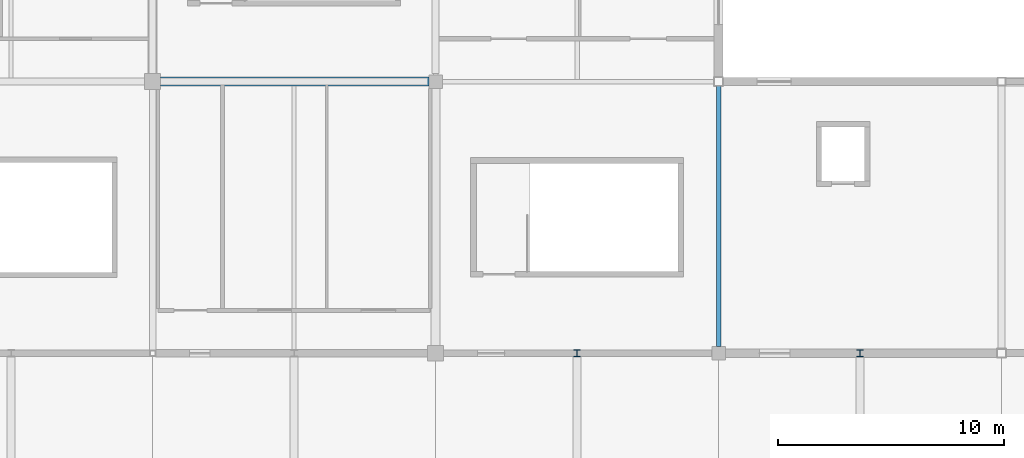
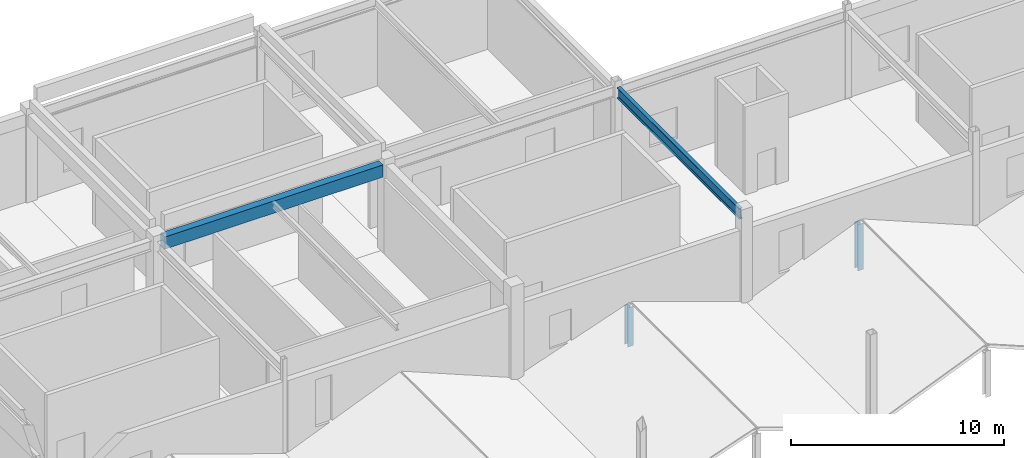
# One storey, part 43 of 76: 2 beams, 2 members.
"""IFC4 building model written with IfcOpenShell, lengths in metres."""

import ifcopenshell
import ifcopenshell.guid

model = None  # the IFC model being written
_history = None  # IfcOwnerHistory: only IFC2X3 demands one
_inside = {}  # id of a spatial element -> (the spatial element, [elements in it])
_under = {}  # id of a project, library or spatial element -> (it, [spatial elements below it])
_declared = {}  # id of a project -> (the project, [libraries it declares])
_typed = {}  # id of a type object -> (the type object, [elements of that type])
_made_of = {}  # id of a material, layer set ... -> (it, [elements and type objects made of it])


def new_model(schema):
    """Start an empty IFC model of exactly this schema.

    Asked for "IFC4X3", IfcOpenShell would pick the latest addendum, in which some entities
    have other attributes; the version numbers below select the first issue.
    IFC2X3 requires an IfcOwnerHistory on every rooted entity: one is made here for all.
    """
    global model, _history
    if schema == "IFC4X3":
        model = ifcopenshell.file(schema_version=(4, 3, 0, 0))
    else:
        model = ifcopenshell.file(schema=schema)
    _inside.clear()
    _under.clear()
    _declared.clear()
    _typed.clear()
    _made_of.clear()
    _history = None
    if model.schema == "IFC2X3":
        org = make("IfcOrganization", Name="unknown")
        user = make(
            "IfcPersonAndOrganization",
            ThePerson=make("IfcPerson", FamilyName="unknown"),
            TheOrganization=org,
        )
        app = make(
            "IfcApplication",
            ApplicationDeveloper=org,
            Version="unknown",
            ApplicationFullName="unknown",
            ApplicationIdentifier="unknown",
        )
        _history = make(
            "IfcOwnerHistory",
            OwningUser=user,
            OwningApplication=app,
            ChangeAction="ADDED",
            CreationDate=0,
        )
    return model


def make(cls, **values):
    """One entity of the class cls with the attributes given. An attribute that is None is left unset."""
    return model.create_entity(
        cls, **{name: value for name, value in values.items() if value is not None}
    )


def rooted(cls, **values):
    """An entity with a GlobalId (a new one), such as an element, a storey or a relation."""
    return make(cls, GlobalId=ifcopenshell.guid.new(), OwnerHistory=_history, **values)


def si_unit(unit_type, name, prefix=None):
    """IfcSIUnit, for example si_unit("LENGTHUNIT", "METRE", prefix="MILLI")."""
    return make("IfcSIUnit", UnitType=unit_type, Prefix=prefix, Name=name)


def assignment(units):
    """IfcUnitAssignment: the units of a project."""
    return None if units is None else make("IfcUnitAssignment", Units=units)


def point(xyz):
    """IfcCartesianPoint."""
    return None if xyz is None else make("IfcCartesianPoint", Coordinates=xyz)


def direction(xyz):
    """IfcDirection."""
    return None if xyz is None else make("IfcDirection", DirectionRatios=xyz)


def frame(location, z_axis=None, x_axis=None):
    """IfcAxis2Placement3D, a coordinate frame: its origin and axes. An axis left out is left unset."""
    return make(
        "IfcAxis2Placement3D",
        Location=point(location),
        Axis=direction(z_axis),
        RefDirection=direction(x_axis),
    )


def frame_2d(location, x_axis=None):
    """IfcAxis2Placement2D, a coordinate frame in the plane: its origin and x axis."""
    return make(
        "IfcAxis2Placement2D", Location=point(location), RefDirection=direction(x_axis)
    )


def origin():
    """The frame at (0, 0, 0) with its axes left unset."""
    return frame((0.0, 0.0, 0.0))


def origin_2d():
    """The frame at (0, 0) in the plane with its x axis left unset."""
    return frame_2d((0.0, 0.0))


def place(relative_to, where):
    """IfcLocalPlacement: puts the frame where relative to a parent placement (None: the world)."""
    return make(
        "IfcLocalPlacement", PlacementRelTo=relative_to, RelativePlacement=where
    )


def context(
    kind, dimensions, precision=None, world=None, true_north=None, identifier=None
):
    """IfcGeometricRepresentationContext, for example the 3D "Model" context."""
    return make(
        "IfcGeometricRepresentationContext",
        ContextIdentifier=identifier,
        ContextType=kind,
        CoordinateSpaceDimension=dimensions,
        Precision=precision,
        WorldCoordinateSystem=world,
        TrueNorth=true_north,
    )


def subcontext(parent, identifier, kind, view, scale=None):
    """IfcGeometricRepresentationSubContext, for example "Body" below "Model"."""
    return make(
        "IfcGeometricRepresentationSubContext",
        ContextIdentifier=identifier,
        ContextType=kind,
        ParentContext=parent,
        TargetScale=scale,
        TargetView=view,
    )


def project(units=None, contexts=None):
    """IfcProject with its units and contexts."""
    return rooted(
        "IfcProject",
        Name="project",
        RepresentationContexts=contexts,
        UnitsInContext=assignment(units),
    )


def spatial(cls, under=None, at=None, **own):
    """A site, building, storey or space (cls), placed at a placement, below another one or the project."""
    s = rooted(cls, ObjectPlacement=at, **own)
    if under is not None:
        _under.setdefault(under.id(), (under, []))[1].append(s)
    return s


def profile(cls, at=None, kind="AREA", **sizes):
    """A parametric profile (cls). Its sizes go by their IFC names, for example OverallWidth=200.0."""
    return make(cls, ProfileType=kind, Position=at, **sizes)


def rectangle(**sizes):
    """IfcRectangleProfileDef."""
    return profile("IfcRectangleProfileDef", **sizes)


def i_section(**sizes):
    """IfcIShapeProfileDef."""
    return profile("IfcIShapeProfileDef", **sizes)


def extrude(swept, where, along, depth):
    """IfcExtrudedAreaSolid: the profile swept, set in the frame where, extruded along a direction by depth."""
    return make(
        "IfcExtrudedAreaSolid",
        SweptArea=swept,
        Position=where,
        ExtrudedDirection=direction(along),
        Depth=depth,
    )


def shape(context_of_items, identifier, shape_type, items):
    """IfcShapeRepresentation: the items that make up one representation, for example the "Body"."""
    return make(
        "IfcShapeRepresentation",
        ContextOfItems=context_of_items,
        RepresentationIdentifier=identifier,
        RepresentationType=shape_type,
        Items=items,
    )


def material(Name=None, Category=None):
    """IfcMaterial."""
    return make("IfcMaterial", Name=Name, Category=Category)


def material_profile(
    of_material, cross_section, Name=None, Category=None, Priority=None
):
    """IfcMaterialProfile: a cross section and its material."""
    return make(
        "IfcMaterialProfile",
        Name=Name,
        Material=of_material,
        Profile=cross_section,
        Priority=Priority,
        Category=Category,
    )


def profile_set(profiles, Name=None, composite=None):
    """IfcMaterialProfileSet."""
    return make(
        "IfcMaterialProfileSet",
        Name=Name,
        MaterialProfiles=profiles,
        CompositeProfile=composite,
    )


def made_of(thing, what):
    """Note that an element or type object is made of a material, layer set ...; save() writes the relation."""
    if what is not None:
        _made_of.setdefault(what.id(), (what, []))[1].append(thing)
    return thing


def type_object(cls, material=None, **own):
    """A type object (cls), such as IfcWallType, which elements share."""
    return made_of(rooted(cls, **own), material)


def element(
    cls,
    number,
    at=None,
    inside=None,
    cuts=None,
    type_object=None,
    material=None,
    context=None,
    identifier="Body",
    shape_type=None,
    held_by="IfcProductDefinitionShape",
    body=None,
    shapes=None,
    **own,
):
    """One element of the class cls, such as IfcWall. Its Tag is "e" and its number.

    at: its placement. inside: the storey or other place that contains it. cuts: it is an
    opening in that element (IfcRelVoidsElement). A single representation is given by context,
    identifier, shape_type and body (its items); several are given by shapes. held_by: the class
    of the entity that holds the representations. save() writes the other relations.
    """
    e = rooted(cls, Tag="e%d" % number, ObjectPlacement=at, **own)
    if body is not None:
        shapes = [shape(context, identifier, shape_type, body)]
    if shapes is not None:
        e.Representation = make(held_by, Representations=shapes)
    if inside is not None:
        _inside.setdefault(inside.id(), (inside, []))[1].append(e)
    if cuts is not None:
        rooted(
            "IfcRelVoidsElement", RelatingBuildingElement=cuts, RelatedOpeningElement=e
        )
    if type_object is not None:
        _typed.setdefault(type_object.id(), (type_object, []))[1].append(e)
    return made_of(e, material)


def aggregate(whole, parts):
    """IfcRelAggregates: a whole, such as a stair, and the parts it consists of."""
    return rooted("IfcRelAggregates", RelatingObject=whole, RelatedObjects=parts)


def save(model, path):
    """Write the relations noted so far, then the file.

    IfcRelAggregates (storeys below a building ...), IfcRelContainedInSpatialStructure (elements
    in a storey), IfcRelDefinesByType, IfcRelAssociatesMaterial and IfcRelDeclares: one each for
    every whole, place, type object, material and project.
    """
    for whole, parts in _under.values():
        aggregate(whole, parts)
    for where, things in _inside.values():
        rooted(
            "IfcRelContainedInSpatialStructure",
            RelatedElements=things,
            RelatingStructure=where,
        )
    for kind, things in _typed.values():
        rooted("IfcRelDefinesByType", RelatedObjects=things, RelatingType=kind)
    for what, things in _made_of.values():
        rooted("IfcRelAssociatesMaterial", RelatedObjects=things, RelatingMaterial=what)
    for by, libraries in _declared.values():
        rooted("IfcRelDeclares", RelatingContext=by, RelatedDefinitions=libraries)
    model.write(path)


model = new_model("IFC4")

# Units and contexts
model_context = context("Model", 3, precision=1e-05, world=origin(), true_north=direction((0.0, 1.0)))
body_context = subcontext(model_context, "Body", "Model", "MODEL_VIEW")
ifc_project = project(units=[si_unit("LENGTHUNIT", "METRE"), si_unit("AREAUNIT", "SQUARE_METRE"), si_unit("VOLUMEUNIT", "CUBIC_METRE"), si_unit("PLANEANGLEUNIT", "RADIAN"), si_unit("MASSUNIT", "GRAM", prefix="KILO")], contexts=[model_context])

# Site, building, storey
site_placement = place(None, origin())
site = spatial("IfcSite", under=ifc_project, at=site_placement, CompositionType="ELEMENT")
building_placement = place(site_placement, origin())
building = spatial("IfcBuilding", under=site, at=building_placement, Name="Kazenohara Klinker Stadium", CompositionType="ELEMENT")
storey_placement = place(building_placement, frame((0.0, 0.0, 25.800048828125)))
storey = spatial("IfcBuildingStorey", under=building, at=storey_placement, Name="L05", CompositionType="ELEMENT", Elevation=25.800048828125)

# Beams
ifc_material_1 = material(Name="Concrete C40/50", Category="concrete")
ifc_material_profile_1 = material_profile(ifc_material_1, rectangle(XDim=0.39990234375, YDim=0.699951171875, at=origin_2d()), Name="RC-BM-400x700")
ifc_profile_set_1 = profile_set([ifc_material_profile_1], Name="Concrete C40/50")
beam_type_1 = type_object("IfcBeamType", Name="BM-RC04", PredefinedType="BEAM", material=ifc_profile_set_1)
beam_1_placement = place(storey_placement, frame((61.85009765625, 156.0, 4.68994140625), z_axis=(1.0, 0.0, 0.0), x_axis=(0.0, 1.0, 0.0)))
element("IfcBeam", 1, at=beam_1_placement, inside=storey, type_object=beam_type_1, Name="Primary girder BG04 L05 6-7/P", PredefinedType="BEAM", context=body_context, shape_type="SweptSolid", body=[
    extrude(rectangle(XDim=0.39990234375, YDim=0.699951171875, at=origin_2d()), origin(), (0.0, 0.0, 1.0), 11.849853515625),
])
ifc_material_2 = material(Name="Steel S355", Category="steel")
ifc_material_profile_2 = material_profile(ifc_material_2, i_section(OverallWidth=0.199951171875, OverallDepth=0.60009765625, WebThickness=0.010986328125, FlangeThickness=0.01708984375, FilletRadius=0.012939453125, at=origin_2d()), Name="H-600x200x11x17")
ifc_profile_set_2 = profile_set([ifc_material_profile_2], Name="Steel S355")
beam_type_2 = type_object("IfcBeamType", Name="BM-ST04", PredefinedType="BEAM", material=ifc_profile_set_2)
beam_2_placement = place(storey_placement, frame((86.5, 144.300048828125, 4.739990234375), z_axis=(0.0, 1.0, 0.0), x_axis=(-1.0, 0.0, 0.0)))
element("IfcBeam", 2, at=beam_2_placement, inside=storey, type_object=beam_type_2, Name="Primary girder SB04 L05 8/N-P", PredefinedType="BEAM", context=body_context, shape_type="SweptSolid", body=[
    extrude(i_section(OverallWidth=0.199951171875, OverallDepth=0.60009765625, WebThickness=0.010986328125, FlangeThickness=0.01708984375, FilletRadius=0.012939453125, at=origin_2d()), origin(), (0.0, 0.0, 1.0), 11.5),
])

# Members
ifc_material_profile_3 = material_profile(ifc_material_2, i_section(OverallWidth=0.300048828125, OverallDepth=0.300048828125, WebThickness=0.010009765625, FlangeThickness=0.014892578125, FilletRadius=0.012939453125, at=origin_2d()), Name="H-300x300x10x15")
ifc_profile_set_3 = profile_set([ifc_material_profile_3], Name="Steel S355")
member_type = type_object("IfcMemberType", Name="MEM-STR01", PredefinedType="STRUT", material=ifc_profile_set_3)
member_1_placement = place(storey_placement, frame((80.25, 144.0, -0.429931640625), z_axis=(0.0, 0.0, 1.0), x_axis=(1.0, 0.0, 0.0)))
element("IfcMember", 3, at=member_1_placement, inside=storey, type_object=member_type, Name="Stepped pavilion gable king-post L05 7/M N", PredefinedType="STRUT", context=body_context, shape_type="SweptSolid", body=[
    extrude(i_section(OverallWidth=0.300048828125, OverallDepth=0.300048828125, WebThickness=0.010009765625, FlangeThickness=0.014892578125, FilletRadius=0.012939453125, at=origin_2d()), origin(), (0.0, 0.0, 1.0), 2.259765625),
])
member_2_placement = place(storey_placement, frame((92.75, 144.0, -0.429931640625), z_axis=(0.0, 0.0, 1.0), x_axis=(1.0, 0.0, 0.0)))
element("IfcMember", 4, at=member_2_placement, inside=storey, type_object=member_type, Name="Stepped pavilion gable king-post L05 8/M N", PredefinedType="STRUT", context=body_context, shape_type="SweptSolid", body=[
    extrude(i_section(OverallWidth=0.300048828125, OverallDepth=0.300048828125, WebThickness=0.010009765625, FlangeThickness=0.014892578125, FilletRadius=0.012939453125, at=origin_2d()), origin(), (0.0, 0.0, 1.0), 2.659912109375),
])

save(model, "model.ifc")
